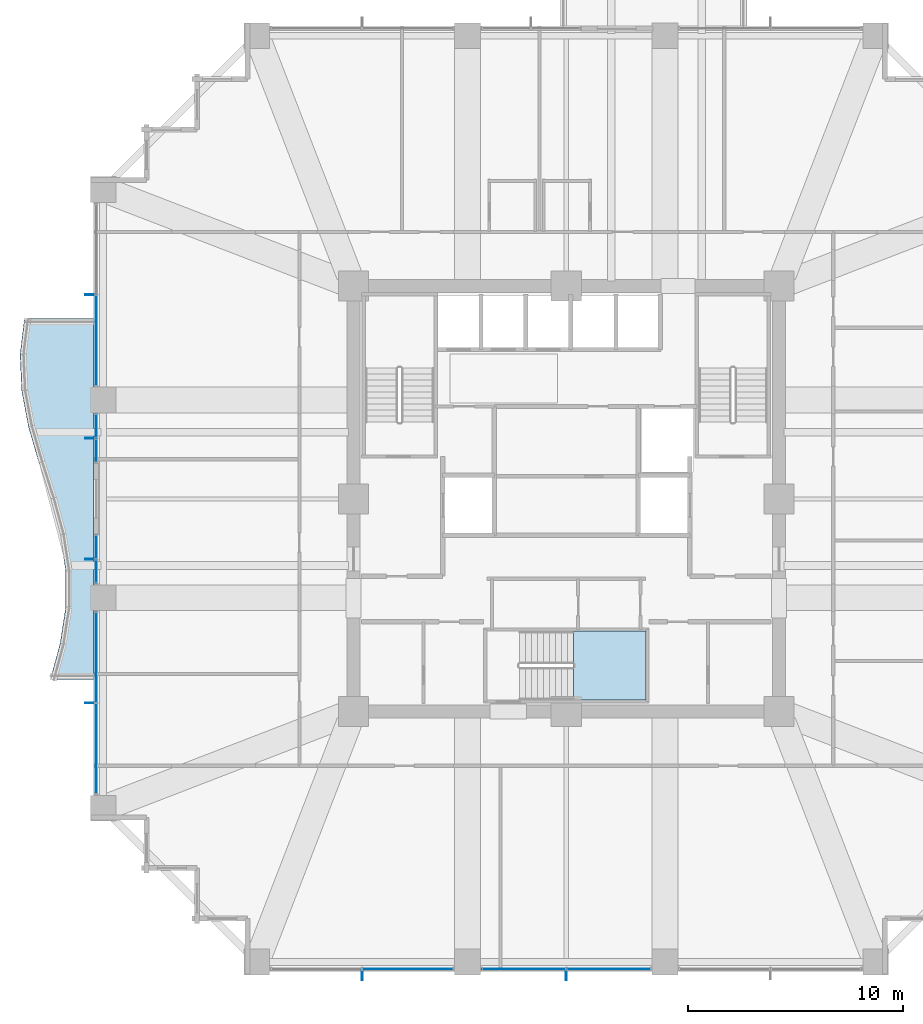
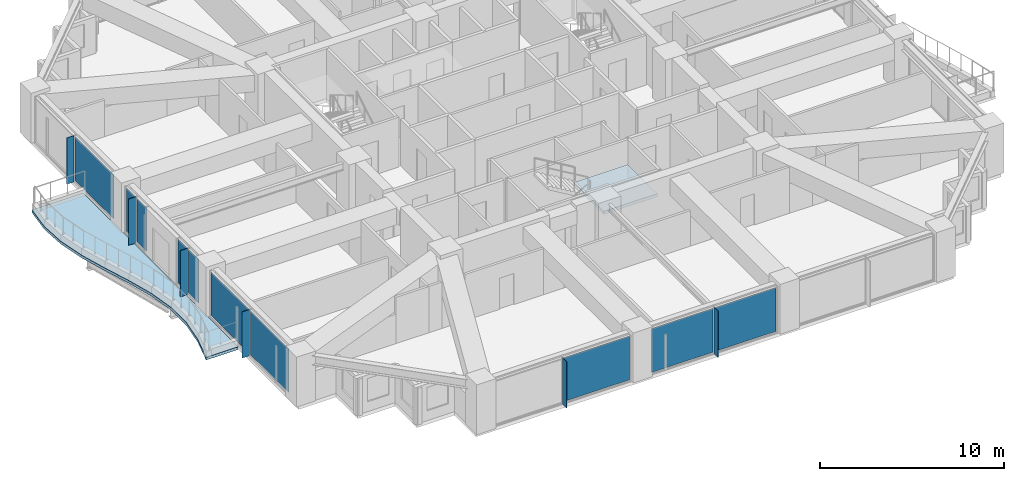
# One storey, part 28 of 39: 16 plates, 2 slabs, 7 elements without a shape of their own.
"""IFC4 building model written with IfcOpenShell, lengths in metres."""

from ifc_helpers import new_model, si_unit, direction, frame, origin, origin_2d, place, context, subcontext, project, spatial, polyline, rectangle, outline, extrude, material, layer, layer_set, type_object, element, aggregate, save


model = new_model("IFC4")

# Units and contexts
model_context = context("Model", 3, precision=1e-05, world=origin(), true_north=direction((0.0, 1.0)))
body_context = subcontext(model_context, "Body", "Model", "MODEL_VIEW")
ifc_project = project(units=[si_unit("LENGTHUNIT", "METRE"), si_unit("AREAUNIT", "SQUARE_METRE"), si_unit("VOLUMEUNIT", "CUBIC_METRE"), si_unit("PLANEANGLEUNIT", "RADIAN"), si_unit("MASSUNIT", "GRAM", prefix="KILO")], contexts=[model_context])

# Site, building, storey
site_placement = place(None, origin())
site = spatial("IfcSite", under=ifc_project, at=site_placement, CompositionType="ELEMENT")
building_placement = place(site_placement, origin())
building = spatial("IfcBuilding", under=site, at=building_placement, Name="Kolvaren Belvedere", CompositionType="ELEMENT")
storey_placement = place(building_placement, frame((0.0, 0.0, 33.699951171875)))
storey = spatial("IfcBuildingStorey", under=building, at=storey_placement, Name="L09", CompositionType="ELEMENT", Elevation=33.699951171875)

# Curtain wall, plates
ifc_material_1 = material(Name="Anodised pale-metal aluminium AA 6063-T6", Category="aluminium")
curtain_wall_type = type_object("IfcCurtainWallType", Name="CW-Z1-LOW", PredefinedType="NOTDEFINED", material=ifc_material_1)
curtain_wall_1_placement = place(storey_placement, origin())
curtain_wall_1 = element("IfcCurtainWall", 1, at=curtain_wall_1_placement, inside=storey, type_object=curtain_wall_type, Name="L09 Unitised Curtain Wall FCW-L09-S-B2", PredefinedType="NOTDEFINED")
ifc_material_2 = material(Name="Low-iron triple insulated glass", Category="glass")
ifc_layer_1 = layer(ifc_material_2, 0.028076171875)
ifc_layer_set_1 = layer_set([ifc_layer_1], Name="Low-iron triple insulated glass")
plate_type_1 = type_object("IfcPlateType", Name="CW-PNL-VIS28", PredefinedType="CURTAIN_PANEL", material=ifc_layer_set_1)
plate_1_placement = place(storey_placement, frame((1.972412109375, -21.8798828125, 0.080078125), z_axis=(0.0, 0.0, 1.0), x_axis=(-1.0, 0.0, 0.0)))
plate_1 = element("IfcPlate", 2, at=plate_1_placement, type_object=plate_type_1, Name="FCW-L09-S-B2 Vision Glazing Panel 1", PredefinedType="CURTAIN_PANEL", context=body_context, shape_type="SweptSolid", body=[
    extrude(rectangle(XDim=3.864990234375, YDim=0.028076171875, at=origin_2d()), origin(), (0.0, 0.0, 1.0), 2.89990234375),
])
plate_2_placement = place(storey_placement, frame((-1.972412109375, -21.8798828125, 0.080078125), z_axis=(0.0, 0.0, 1.0), x_axis=(-1.0, 0.0, 0.0)))
plate_2 = element("IfcPlate", 3, at=plate_2_placement, type_object=plate_type_1, Name="FCW-L09-S-B2 Vision Glazing Panel 2", PredefinedType="CURTAIN_PANEL", context=body_context, shape_type="SweptSolid", body=[
    extrude(rectangle(XDim=3.864990234375, YDim=0.028076171875, at=origin_2d()), origin(), (0.0, 0.0, 1.0), 2.89990234375),
])
aggregate(curtain_wall_1, [plate_1, plate_2])

# Curtain wall, plate
curtain_wall_2_placement = place(storey_placement, origin())
curtain_wall_2 = element("IfcCurtainWall", 4, at=curtain_wall_2_placement, inside=storey, type_object=curtain_wall_type, Name="L09 Unitised Curtain Wall FCW-L09-S-B3", PredefinedType="NOTDEFINED")
plate_3_placement = place(storey_placement, frame((-7.37744140625, -21.8798828125, 0.080078125), z_axis=(0.0, 0.0, 1.0), x_axis=(-1.0, 0.0, 0.0)))
plate_3 = element("IfcPlate", 5, at=plate_3_placement, type_object=plate_type_1, Name="FCW-L09-S-B3 Vision Glazing Panel 1", PredefinedType="CURTAIN_PANEL", context=body_context, shape_type="SweptSolid", body=[
    extrude(rectangle(XDim=4.1650390625, YDim=0.028076171875, at=origin_2d()), origin(), (0.0, 0.0, 1.0), 2.89990234375),
])
aggregate(curtain_wall_2, [plate_3])

# Curtain wall, plates
curtain_wall_3_placement = place(storey_placement, origin())
curtain_wall_3 = element("IfcCurtainWall", 6, at=curtain_wall_3_placement, inside=storey, type_object=curtain_wall_type, Name="L09 Unitised Curtain Wall FCW-L09-W1-B1", PredefinedType="NOTDEFINED")
plate_4_placement = place(storey_placement, frame((-21.8798828125, -11.62255859375, 0.080078125), z_axis=(0.0, 0.0, 1.0), x_axis=(0.0, 1.0, 0.0)))
plate_4 = element("IfcPlate", 7, at=plate_4_placement, type_object=plate_type_1, Name="FCW-L09-W1-B1 Vision Glazing Panel 1", PredefinedType="CURTAIN_PANEL", context=body_context, shape_type="SweptSolid", body=[
    extrude(rectangle(XDim=4.1650390625, YDim=0.028076171875, at=origin_2d()), origin(), (0.0, 0.0, 1.0), 2.89990234375),
])
plate_5_placement = place(storey_placement, frame((-21.8798828125, -7.37744140625, 0.080078125), z_axis=(0.0, 0.0, 1.0), x_axis=(0.0, 1.0, 0.0)))
plate_5 = element("IfcPlate", 8, at=plate_5_placement, type_object=plate_type_1, Name="FCW-L09-W1-B1 Vision Glazing Panel 2", PredefinedType="CURTAIN_PANEL", context=body_context, shape_type="SweptSolid", body=[
    extrude(rectangle(XDim=4.1650390625, YDim=0.028076171875, at=origin_2d()), origin(), (0.0, 0.0, 1.0), 2.89990234375),
])
aggregate(curtain_wall_3, [plate_4, plate_5])

curtain_wall_4_placement = place(storey_placement, origin())
curtain_wall_4 = element("IfcCurtainWall", 9, at=curtain_wall_4_placement, inside=storey, type_object=curtain_wall_type, Name="L09 Unitised Curtain Wall FCW-L09-W1-B2", PredefinedType="NOTDEFINED")
plate_6_placement = place(storey_placement, frame((-21.8798828125, -3.37890625, 0.080078125), z_axis=(0.0, 0.0, 1.0), x_axis=(0.0, 1.0, 0.0)))
plate_6 = element("IfcPlate", 10, at=plate_6_placement, type_object=plate_type_1, Name="FCW-L09-W1-B2 Vision Glazing Panel 1", PredefinedType="CURTAIN_PANEL", context=body_context, shape_type="SweptSolid", body=[
    extrude(rectangle(XDim=1.052490234375, YDim=0.028076171875, at=origin_2d()), origin(), (0.0, 0.0, 1.0), 2.89990234375),
])
plate_7_placement = place(storey_placement, frame((-21.8798828125, -2.24609375, 0.080078125), z_axis=(0.0, 0.0, 1.0), x_axis=(0.0, 1.0, 0.0)))
plate_7 = element("IfcPlate", 11, at=plate_7_placement, type_object=plate_type_1, Name="FCW-L09-W1-B2 Vision Glazing Panel 2", PredefinedType="CURTAIN_PANEL", context=body_context, shape_type="SweptSolid", body=[
    extrude(rectangle(XDim=1.052490234375, YDim=0.028076171875, at=origin_2d()), origin(), (0.0, 0.0, 1.0), 2.89990234375),
])
aggregate(curtain_wall_4, [plate_6, plate_7])

curtain_wall_5_placement = place(storey_placement, origin())
curtain_wall_5 = element("IfcCurtainWall", 12, at=curtain_wall_5_placement, inside=storey, type_object=curtain_wall_type, Name="L09 Unitised Curtain Wall FCW-L09-W2-B1", PredefinedType="NOTDEFINED")
plate_8_placement = place(storey_placement, frame((-21.8798828125, 2.24609375, 0.080078125), z_axis=(0.0, 0.0, 1.0), x_axis=(0.0, 1.0, 0.0)))
plate_8 = element("IfcPlate", 13, at=plate_8_placement, type_object=plate_type_1, Name="FCW-L09-W2-B1 Vision Glazing Panel 1", PredefinedType="CURTAIN_PANEL", context=body_context, shape_type="SweptSolid", body=[
    extrude(rectangle(XDim=1.052490234375, YDim=0.028076171875, at=origin_2d()), origin(), (0.0, 0.0, 1.0), 2.89990234375),
])
plate_9_placement = place(storey_placement, frame((-21.8798828125, 3.378662109375, 0.080078125), z_axis=(0.0, 0.0, 1.0), x_axis=(0.0, 1.0, 0.0)))
plate_9 = element("IfcPlate", 14, at=plate_9_placement, type_object=plate_type_1, Name="FCW-L09-W2-B1 Vision Glazing Panel 2", PredefinedType="CURTAIN_PANEL", context=body_context, shape_type="SweptSolid", body=[
    extrude(rectangle(XDim=1.052490234375, YDim=0.028076171875, at=origin_2d()), origin(), (0.0, 0.0, 1.0), 2.89990234375),
])
aggregate(curtain_wall_5, [plate_8, plate_9])

# Curtain wall, plate
curtain_wall_6_placement = place(storey_placement, origin())
curtain_wall_6 = element("IfcCurtainWall", 15, at=curtain_wall_6_placement, inside=storey, type_object=curtain_wall_type, Name="L09 Unitised Curtain Wall FCW-L09-W2-B2", PredefinedType="NOTDEFINED")
plate_10_placement = place(storey_placement, frame((-21.8798828125, 7.37744140625, 0.080078125), z_axis=(0.0, 0.0, 1.0), x_axis=(0.0, 1.0, 0.0)))
plate_10 = element("IfcPlate", 16, at=plate_10_placement, type_object=plate_type_1, Name="FCW-L09-W2-B2 Vision Glazing Panel 1", PredefinedType="CURTAIN_PANEL", context=body_context, shape_type="SweptSolid", body=[
    extrude(rectangle(XDim=4.1650390625, YDim=0.028076171875, at=origin_2d()), origin(), (0.0, 0.0, 1.0), 2.89990234375),
])
aggregate(curtain_wall_6, [plate_10])

# Plates
ifc_material_3 = material(Name="Anodised pale-metal aluminium AA 6063-T6", Category="aluminium")
ifc_layer_2 = layer(ifc_material_3, 0.0380859375)
ifc_layer_set_2 = layer_set([ifc_layer_2], Name="Anodised pale-metal aluminium AA 6063-T6")
plate_type_2 = type_object("IfcPlateType", Name="FIN-VERT-450", PredefinedType="USERDEFINED", material=ifc_layer_set_2)
for number, where, z_axis, x_axis, name in (
    (17, (0.0, -22.1650390625, 0.0), (0.0, 0.0, 1.0), (0.0, 1.0, 0.0), "L09 Pale-Metal Vertical Shading Fin FCW-L09-S-B2-1"),
    (18, (-9.5, -22.1650390625, 0.0), (0.0, 0.0, 1.0), (0.0, 1.0, 0.0), "L09 Pale-Metal Vertical Shading Fin FCW-L09-S-B3-1"),
    (19, (-22.1650390625, -9.5, 0.0), (0.0, 0.0, 1.0), (1.0, 0.0, 0.0), "L09 Pale-Metal Vertical Shading Fin FCW-L09-W1-B1-1"),
    (20, (-22.1650390625, -2.8125, 0.0), (0.0, 0.0, 1.0), (1.0, 0.0, 0.0), "L09 Pale-Metal Vertical Shading Fin FCW-L09-W1-B2-1"),
    (21, (-22.1650390625, 2.8125, 0.0), (0.0, 0.0, 1.0), (1.0, 0.0, 0.0), "L09 Pale-Metal Vertical Shading Fin FCW-L09-W2-B1-1"),
    (22, (-22.1650390625, 9.5, 0.0), (0.0, 0.0, 1.0), (1.0, 0.0, 0.0), "L09 Pale-Metal Vertical Shading Fin FCW-L09-W2-B2-1"),
):
    element("IfcPlate", number, at=place(storey_placement, frame(where, z_axis=z_axis, x_axis=x_axis)), inside=storey, type_object=plate_type_2, Name=name, ObjectType="VERTICAL FIN", PredefinedType="USERDEFINED", context=body_context, shape_type="SweptSolid", body=[
        extrude(rectangle(XDim=0.449951171875, YDim=0.0380859375, at=origin_2d()), origin(), (0.0, 0.0, 1.0), 3.06005859375),
    ])

# Slab
ifc_material_4 = material(Name="Concrete C50/60", Category="concrete")
ifc_layer_3 = layer(ifc_material_4, 0.179931640625)
ifc_layer_set_3 = layer_set([ifc_layer_3], Name="Concrete C50/60")
slab_type_1 = type_object("IfcSlabType", Name="SL-BAL-180", PredefinedType="FLOOR", material=ifc_layer_set_3)
slab_1_placement = place(storey_placement, frame((0.0, 0.0, -0.239990234375)))
element("IfcSlab", 23, at=slab_1_placement, inside=storey, type_object=slab_type_1, Name="L09 Planted Balcony BAL-W", PredefinedType="FLOOR", context=body_context, shape_type="SweptSolid", body=[
    extrude(outline(polyline([(-25.213623046875, 8.39990234375), (-25.419921875, 6.719970703125), (-25.34423828125, 5.0400390625), (-25.0283203125, 3.360107421875), (-24.54248046875, 1.679931640625), (-24.00634765625, 0.0), (-23.552734375, -1.679931640625), (-23.2939453125, -3.360107421875), (-23.2939453125, -5.0400390625), (-23.552734375, -6.719970703125), (-24.00634765625, -8.39990234375), (-22.0, -8.39990234375), (-22.0, -6.719970703125), (-22.0, -5.0400390625), (-22.0, -3.360107421875), (-22.0, -1.679931640625), (-22.0, 0.0), (-22.0, 1.679931640625), (-22.0, 3.360107421875), (-22.0, 5.0400390625), (-22.0, 6.719970703125), (-22.0, 8.39990234375), (-25.213623046875, 8.39990234375)])), origin(), (0.0, 0.0, 1.0), 0.179931640625),
])

# Stair, slab
ifc_material_5 = material(Name="Concrete C50/60", Category="concrete")
stair_type = type_object("IfcStairType", Name="ST-CORE-1520", PredefinedType="HALF_TURN_STAIR", material=ifc_material_5)
stair_placement = place(storey_placement, origin())
stair = element("IfcStair", 24, at=stair_placement, inside=storey, type_object=stair_type, Name="L09 Protected Exit Stair ST-3", PredefinedType="HALF_TURN_STAIR")
ifc_material_6 = material(Name="Concrete C50/60", Category="concrete")
ifc_layer_4 = layer(ifc_material_6, 0.260009765625)
ifc_layer_set_4 = layer_set([ifc_layer_4], Name="Concrete C50/60")
slab_type_2 = type_object("IfcSlabType", Name="SL-LAND-260", PredefinedType="LANDING", material=ifc_layer_set_4)
slab_2_placement = place(storey_placement, frame((0.0, 0.0, 1.449951171875)))
slab_2 = element("IfcSlab", 25, at=slab_2_placement, type_object=slab_type_2, Name="ST-3 landing 1", PredefinedType="LANDING", context=body_context, shape_type="SweptSolid", body=[
    extrude(outline(polyline([(0.340087890625, -9.35009765625), (3.699951171875, -9.35009765625), (3.699951171875, -6.159912109375), (0.340087890625, -6.159912109375), (0.340087890625, -9.35009765625)])), origin(), (0.0, 0.0, 1.0), 0.2001953125),
])
aggregate(stair, [slab_2])

save(model, "model.ifc")
